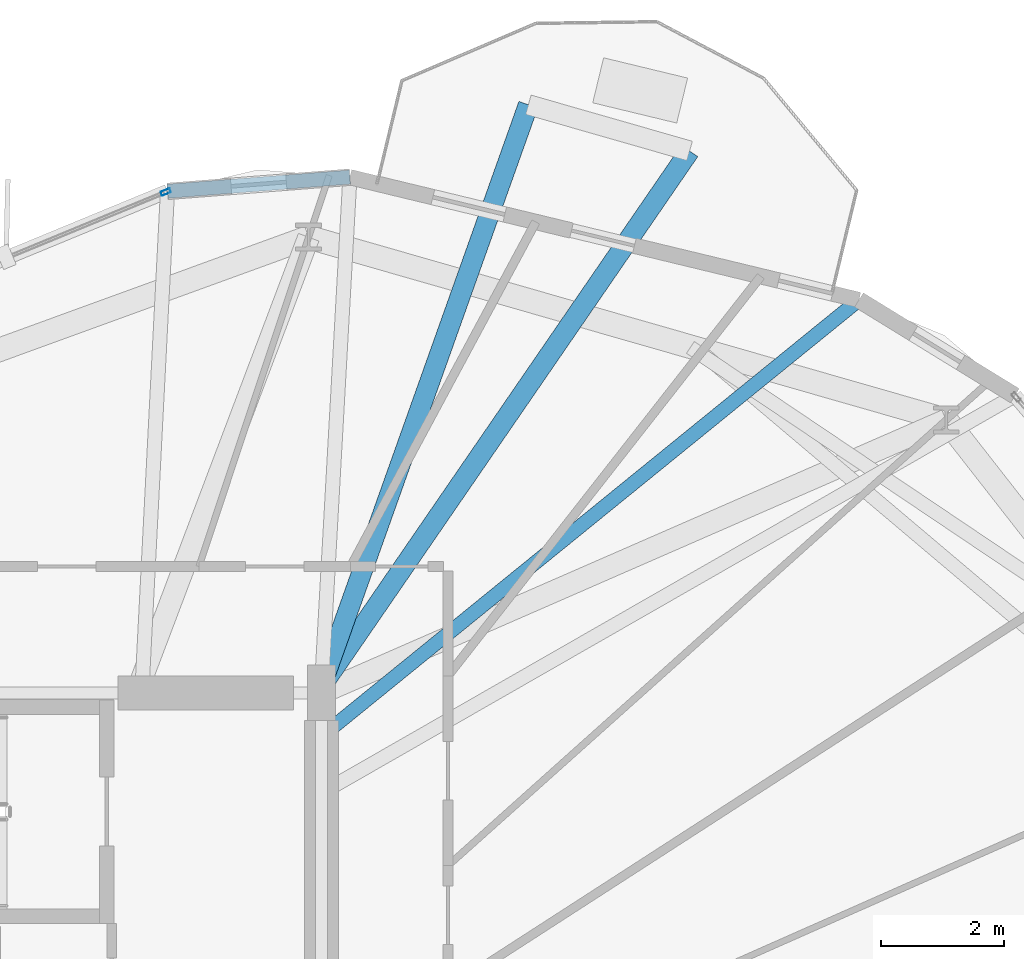
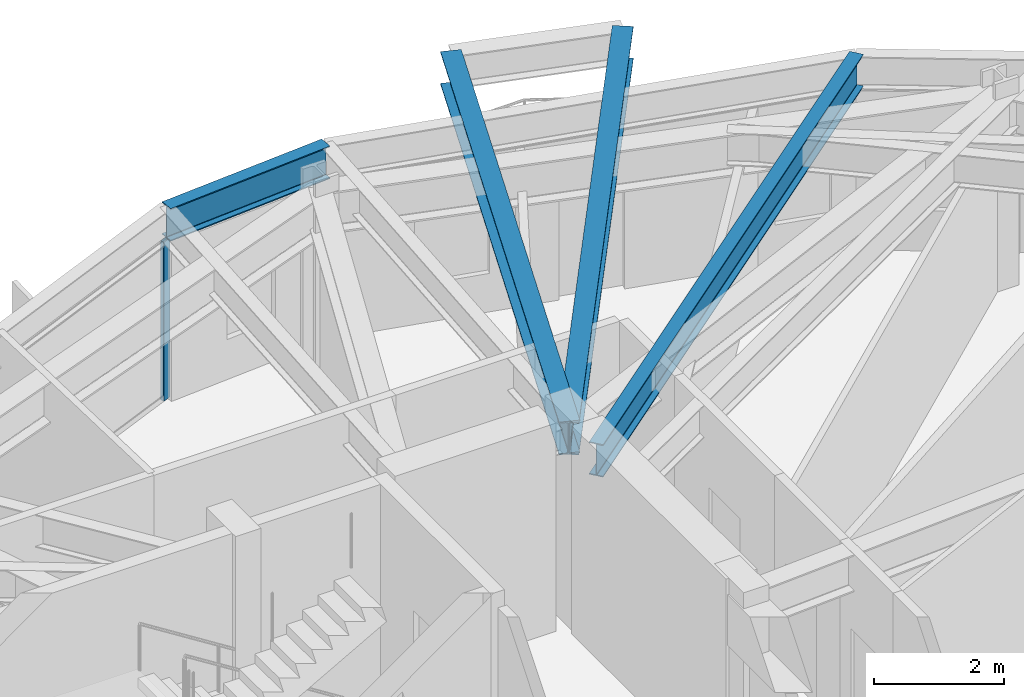
# One storey, part 13 of 21: 4 beams, 1 member, 1 element without a shape of its own.
"""IFC4 building model written with IfcOpenShell, lengths in metres."""

from ifc_helpers import new_model, si_unit, direction, frame, origin, origin_2d, place, context, subcontext, project, spatial, hollow_rectangle, i_section, extrude, material, layer, layer_set, material_profile, profile_set, type_object, element, aggregate, save


model = new_model("IFC4")

# Units and contexts
model_context = context("Model", 3, precision=1e-05, world=origin(), true_north=direction((0.0, 1.0)))
body_context = subcontext(model_context, "Body", "Model", "MODEL_VIEW")
ifc_project = project(units=[si_unit("LENGTHUNIT", "METRE"), si_unit("AREAUNIT", "SQUARE_METRE"), si_unit("VOLUMEUNIT", "CUBIC_METRE"), si_unit("PLANEANGLEUNIT", "RADIAN"), si_unit("MASSUNIT", "GRAM", prefix="KILO")], contexts=[model_context])

# Site, building, storey
site_placement = place(None, origin())
site = spatial("IfcSite", under=ifc_project, at=site_placement, CompositionType="ELEMENT")
building_placement = place(site_placement, origin())
building = spatial("IfcBuilding", under=site, at=building_placement, Name="Soratama Intermodal Tower", CompositionType="ELEMENT")
storey_placement = place(building_placement, frame((0.0, 0.0, 114.699951171875)))
storey = spatial("IfcBuildingStorey", under=building, at=storey_placement, Name="L27", CompositionType="ELEMENT", Elevation=114.699951171875)

# Beams
ifc_material_1 = material(Name="Structural steel ASTM A992 Grade 50", Category="steel")
ifc_material_profile_1 = material_profile(ifc_material_1, i_section(OverallWidth=0.324951171875, OverallDepth=0.615966796875, WebThickness=0.013916015625, FlangeThickness=0.021484375, FilletRadius=0.013916015625, at=origin_2d()), Name="W24X117")
ifc_profile_set_1 = profile_set([ifc_material_profile_1], Name="Structural steel ASTM A992 Grade 50")
beam_type_1 = type_object("IfcBeamType", Name="BM-CANT-W24X117", PredefinedType="BEAM", material=ifc_profile_set_1)
beam_1_placement = place(storey_placement, frame((44.550048828125, 35.032958984375, 3.2919921875), z_axis=(0.566521996242, 0.824046617476, 0.0), x_axis=(-0.824046617476, 0.566521996242, 0.0)))
element("IfcBeam", 1, at=beam_1_placement, inside=storey, type_object=beam_type_1, Name="BM-L27-CANT-1-1", PredefinedType="BEAM", context=body_context, shape_type="SweptSolid", body=[
    extrude(i_section(OverallWidth=0.324951171875, OverallDepth=0.615966796875, WebThickness=0.013916015625, FlangeThickness=0.021484375, FilletRadius=0.013916015625, at=origin_2d()), origin(), (0.0, 0.0, 1.0), 10.62451171875),
])
beam_2_placement = place(storey_placement, frame((44.572021484375, 35.0380859375, 3.2919921875), z_axis=(0.335504952583, 0.942038442311, 0.0), x_axis=(-0.942038442311, 0.335504952583, 0.0)))
element("IfcBeam", 2, at=beam_2_placement, inside=storey, type_object=beam_type_1, Name="BM-L27-CANT-1-2", PredefinedType="BEAM", context=body_context, shape_type="SweptSolid", body=[
    extrude(i_section(OverallWidth=0.324951171875, OverallDepth=0.615966796875, WebThickness=0.013916015625, FlangeThickness=0.021484375, FilletRadius=0.013916015625, at=origin_2d()), origin(), (0.0, 0.0, 1.0), 10.08349609375),
])
ifc_material_2 = material(Name="Structural steel ASTM A992 Grade 50", Category="steel")
ifc_material_profile_2 = material_profile(ifc_material_2, i_section(OverallWidth=0.22900390625, OverallDepth=0.612060546875, WebThickness=0.011962890625, FlangeThickness=0.01953125, FilletRadius=0.012939453125, at=origin_2d()), Name="W24X84")
ifc_profile_set_2 = profile_set([ifc_material_profile_2], Name="Structural steel ASTM A992 Grade 50")
beam_type_2 = type_object("IfcBeamType", Name="BM-SPN-W24X84", PredefinedType="SPANDREL", material=ifc_profile_set_2)
beam_3_placement = place(storey_placement, frame((45.06201171875, 43.364013671875, 3.2939453125), z_axis=(-0.996991224451, -0.077514504245, 0.0), x_axis=(0.077514504245, -0.996991224451, 0.0)))
element("IfcBeam", 3, at=beam_3_placement, inside=storey, type_object=beam_type_2, Name="BS-L27-CRN02", PredefinedType="SPANDREL", context=body_context, shape_type="SweptSolid", body=[
    extrude(i_section(OverallWidth=0.22900390625, OverallDepth=0.612060546875, WebThickness=0.011962890625, FlangeThickness=0.01953125, FilletRadius=0.012939453125, at=origin_2d()), origin(), (0.0, 0.0, 1.0), 2.967041015625),
])
ifc_material_3 = material(Name="Structural steel ASTM A992 Grade 50", Category="steel")
ifc_material_profile_3 = material_profile(ifc_material_3, i_section(OverallWidth=0.22900390625, OverallDepth=0.612060546875, WebThickness=0.011962890625, FlangeThickness=0.01953125, FilletRadius=0.012939453125, at=origin_2d()), Name="W24X84")
ifc_profile_set_3 = profile_set([ifc_material_profile_3], Name="Structural steel ASTM A992 Grade 50")
beam_type_3 = type_object("IfcBeamType", Name="BM-TIE-W24X84", PredefinedType="BEAM", material=ifc_profile_set_3)
beam_4_placement = place(storey_placement, frame((44.631103515625, 34.321044921875, 3.2939453125), z_axis=(0.776306878447, 0.630355162172, 0.0), x_axis=(-0.630355162172, 0.776306878447, 0.0)))
element("IfcBeam", 4, at=beam_4_placement, inside=storey, type_object=beam_type_3, Name="BM-L27-TIE0-02", PredefinedType="BEAM", context=body_context, shape_type="SweptSolid", body=[
    extrude(i_section(OverallWidth=0.22900390625, OverallDepth=0.612060546875, WebThickness=0.011962890625, FlangeThickness=0.01953125, FilletRadius=0.012939453125, at=origin_2d()), origin(), (0.0, 0.0, 1.0), 11.187255859375),
])

# Curtain wall, member
ifc_material_4 = material(Name="Double-glazed aluminium curtain wall", Category="aluminium")
ifc_layer = layer(ifc_material_4, 0.159912109375)
ifc_layer_set = layer_set([ifc_layer], Name="Double-glazed aluminium curtain wall")
curtain_wall_type = type_object("IfcCurtainWallType", Name="CW-SYS-3", PredefinedType="NOTDEFINED", material=ifc_layer_set)
curtain_wall_placement = place(storey_placement, origin())
curtain_wall = element("IfcCurtainWall", 5, at=curtain_wall_placement, inside=storey, type_object=curtain_wall_type, Name="L27 Faceted Curtain Wall F03", PredefinedType="NOTDEFINED")
ifc_material_5 = material(Name="Anodised aluminium AA 6063-T6", Category="aluminium")
ifc_material_profile_4 = material_profile(ifc_material_5, hollow_rectangle(XDim=0.070068359375, YDim=0.159912109375, WallThickness=0.0048828125, InnerFilletRadius=0.0048828125, OuterFilletRadius=0.010009765625, at=origin_2d()), Name="CWM160X70X5")
ifc_profile_set_4 = profile_set([ifc_material_profile_4], Name="Anodised aluminium AA 6063-T6")
member_type = type_object("IfcMemberType", Name="MT-CWM-3", PredefinedType="MULLION", material=ifc_profile_set_4)
member_placement = place(storey_placement, frame((42.076416015625, 43.122314453125, 0.0), z_axis=(0.0, 0.0, 1.0), x_axis=(0.3817175043, -0.924279041692, 0.0)))
member = element("IfcMember", 6, at=member_placement, type_object=member_type, Name="CW-3 mullion 1", PredefinedType="MULLION", context=body_context, shape_type="SweptSolid", body=[
    extrude(hollow_rectangle(XDim=0.070068359375, YDim=0.159912109375, WallThickness=0.0048828125, InnerFilletRadius=0.0048828125, OuterFilletRadius=0.010009765625, at=origin_2d()), origin(), (0.0, 0.0, 1.0), 2.97900390625),
])
aggregate(curtain_wall, [member])

save(model, "model.ifc")
